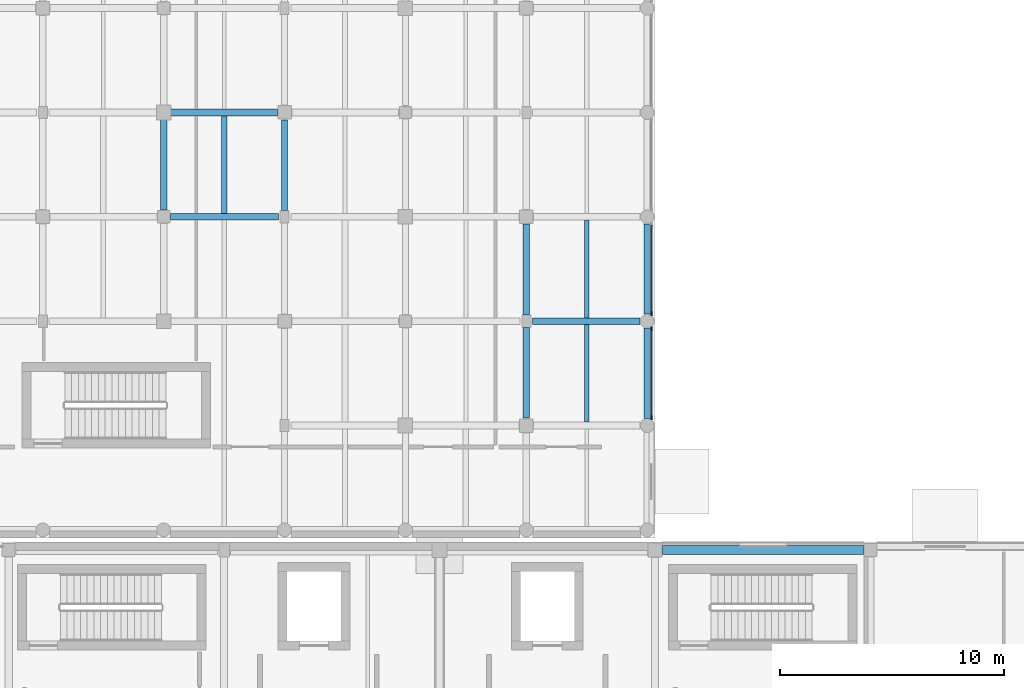
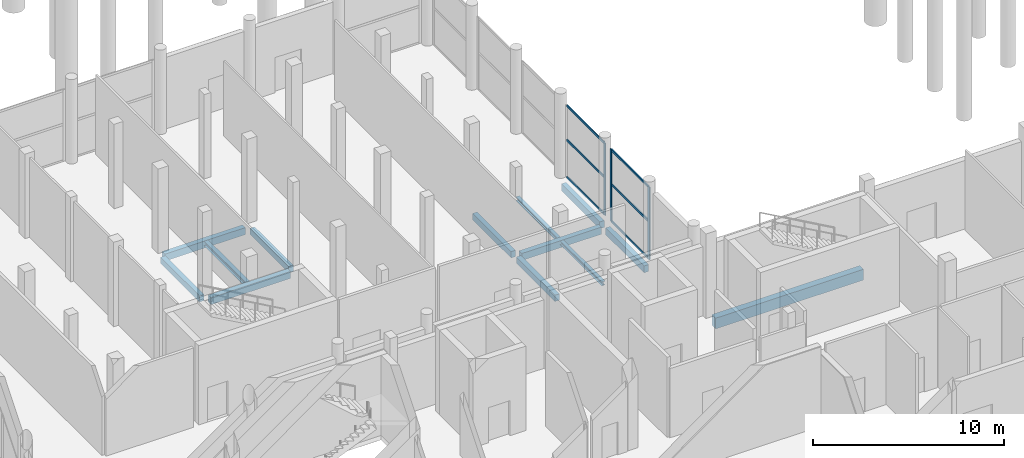
# One storey, part 28 of 88: 13 beams, 9 members, 2 elements without a shape of their own.
"""IFC4 building model written with IfcOpenShell, lengths in metres."""

from ifc_helpers import new_model, si_unit, direction, frame, origin, origin_2d, place, context, subcontext, project, spatial, rectangle, i_section, extrude, material, layer, layer_set, material_profile, profile_set, type_object, element, aggregate, save


model = new_model("IFC4")

# Units and contexts
model_context = context("Model", 3, precision=1e-05, world=origin(), true_north=direction((0.0, 1.0)))
body_context = subcontext(model_context, "Body", "Model", "MODEL_VIEW")
ifc_project = project(units=[si_unit("LENGTHUNIT", "METRE"), si_unit("AREAUNIT", "SQUARE_METRE"), si_unit("VOLUMEUNIT", "CUBIC_METRE"), si_unit("PLANEANGLEUNIT", "RADIAN"), si_unit("MASSUNIT", "GRAM", prefix="KILO")], contexts=[model_context])

# Site, building, storey
site_placement = place(None, origin())
site = spatial("IfcSite", under=ifc_project, at=site_placement, CompositionType="ELEMENT")
building_placement = place(site_placement, origin())
building = spatial("IfcBuilding", under=site, at=building_placement, Name="Birchvale Park Specialist Clinic", CompositionType="ELEMENT")
storey_placement = place(building_placement, origin())
storey = spatial("IfcBuildingStorey", under=building, at=storey_placement, Name="L00", CompositionType="ELEMENT", Elevation=0.0)

# Beams
ifc_material_1 = material(Name="Concrete C40/50", Category="concrete")
ifc_material_profile_1 = material_profile(ifc_material_1, rectangle(XDim=0.39990234375, YDim=0.68994140625, at=origin_2d()), Name="RCB-400x690")
ifc_profile_set_1 = profile_set([ifc_material_profile_1], Name="Concrete C40/50")
beam_type_1 = type_object("IfcBeamType", Name="BM-EXT-BG4", PredefinedType="BEAM", material=ifc_profile_set_1)
beam_1_placement = place(storey_placement, frame((90.5400390625, 34.25, -0.625), z_axis=(1.0, 0.0, 0.0), x_axis=(0.0, 1.0, 0.0)))
element("IfcBeam", 1, at=beam_1_placement, inside=storey, type_object=beam_type_1, Name="V4 L00 X girder 11", PredefinedType="BEAM", context=body_context, shape_type="SweptSolid", body=[
    extrude(rectangle(XDim=0.39990234375, YDim=0.68994140625, at=origin_2d()), origin(), (0.0, 0.0, 1.0), 8.945068359375),
])
ifc_material_profile_2 = material_profile(ifc_material_1, rectangle(XDim=0.280029296875, YDim=0.43994140625, at=origin_2d()), Name="RCB-280x440")
ifc_profile_set_2 = profile_set([ifc_material_profile_2], Name="Concrete C40/50")
beam_type_2 = type_object("IfcBeamType", Name="BM-EXT-BG9", PredefinedType="BEAM", material=ifc_profile_set_2)
beam_2_placement = place(storey_placement, frame((89.85009765625, 40.110107421875, -0.5400390625), z_axis=(0.0, 1.0, 0.0), x_axis=(-1.0, 0.0, 0.0)))
element("IfcBeam", 2, at=beam_2_placement, inside=storey, type_object=beam_type_2, Name="V1 L00 Y girder 86", PredefinedType="BEAM", context=body_context, shape_type="SweptSolid", body=[
    extrude(rectangle(XDim=0.280029296875, YDim=0.43994140625, at=origin_2d()), origin(), (0.0, 0.0, 1.0), 4.02978515625),
])
beam_3_placement = place(storey_placement, frame((89.85009765625, 44.760009765625, -0.5400390625), z_axis=(0.0, 1.0, 0.0), x_axis=(-1.0, 0.0, 0.0)))
element("IfcBeam", 3, at=beam_3_placement, inside=storey, type_object=beam_type_2, Name="V1 L00 Y girder 87", PredefinedType="BEAM", context=body_context, shape_type="SweptSolid", body=[
    extrude(rectangle(XDim=0.280029296875, YDim=0.43994140625, at=origin_2d()), origin(), (0.0, 0.0, 1.0), 4.030029296875),
])
ifc_material_profile_3 = material_profile(ifc_material_1, rectangle(XDim=0.300048828125, YDim=0.449951171875, at=origin_2d()), Name="RCB-300x450")
ifc_profile_set_3 = profile_set([ifc_material_profile_3], Name="Concrete C40/50")
beam_type_3 = type_object("IfcBeamType", Name="BM-INT-BG8", PredefinedType="BEAM", material=ifc_profile_set_3)
beam_4_placement = place(storey_placement, frame((84.7392578125, 44.449951171875, -0.544921875), z_axis=(1.0, 0.0, 0.0), x_axis=(0.0, 1.0, 0.0)))
element("IfcBeam", 4, at=beam_4_placement, inside=storey, type_object=beam_type_3, Name="V1 L00 X girder 18", PredefinedType="BEAM", context=body_context, shape_type="SweptSolid", body=[
    extrude(rectangle(XDim=0.300048828125, YDim=0.449951171875, at=origin_2d()), origin(), (0.0, 0.0, 1.0), 4.80078125),
])
beam_5_placement = place(storey_placement, frame((68.607177734375, 49.10009765625, -0.544921875), z_axis=(1.0, 0.0, 0.0), x_axis=(0.0, 1.0, 0.0)))
element("IfcBeam", 5, at=beam_5_placement, inside=storey, type_object=beam_type_3, Name="V1 L00 X girder 22", PredefinedType="BEAM", context=body_context, shape_type="SweptSolid", body=[
    extrude(rectangle(XDim=0.300048828125, YDim=0.449951171875, at=origin_2d()), origin(), (0.0, 0.0, 1.0), 4.810791015625),
])
beam_6_placement = place(storey_placement, frame((68.507080078125, 53.75, -0.544921875), z_axis=(1.0, 0.0, 0.0), x_axis=(0.0, 1.0, 0.0)))
element("IfcBeam", 6, at=beam_6_placement, inside=storey, type_object=beam_type_3, Name="V1 L00 X girder 29", PredefinedType="BEAM", context=body_context, shape_type="SweptSolid", body=[
    extrude(rectangle(XDim=0.300048828125, YDim=0.449951171875, at=origin_2d()), origin(), (0.0, 0.0, 1.0), 4.86083984375),
])
ifc_material_profile_4 = material_profile(ifc_material_1, rectangle(XDim=0.280029296875, YDim=0.39990234375, at=origin_2d()), Name="RCB-280x400")
ifc_profile_set_4 = profile_set([ifc_material_profile_4], Name="Concrete C40/50")
beam_type_4 = type_object("IfcBeamType", Name="BM-INT-BG9", PredefinedType="BEAM", material=ifc_profile_set_4)
beam_7_placement = place(storey_placement, frame((68.30712890625, 49.39990234375, -0.52001953125), z_axis=(0.0, 1.0, 0.0), x_axis=(-1.0, 0.0, 0.0)))
element("IfcBeam", 7, at=beam_7_placement, inside=storey, type_object=beam_type_4, Name="V1 L00 Y girder 64", PredefinedType="BEAM", context=body_context, shape_type="SweptSolid", body=[
    extrude(rectangle(XDim=0.280029296875, YDim=0.39990234375, at=origin_2d()), origin(), (0.0, 0.0, 1.0), 4.0751953125),
])
for number, where, z_axis, x_axis, name in (
    (8, (73.69287109375, 49.375, -0.52001953125), (0.0, 1.0, 0.0), (-1.0, 0.0, 0.0), "V1 L00 Y girder 70"),
    (9, (84.46435546875, 40.125, -0.52001953125), (0.0, 1.0, 0.0), (-1.0, 0.0, 0.0), "V1 L00 Y girder 80"),
):
    element("IfcBeam", number, at=place(storey_placement, frame(where, z_axis=z_axis, x_axis=x_axis)), inside=storey, type_object=beam_type_4, Name=name, PredefinedType="BEAM", context=body_context, shape_type="SweptSolid", body=[
        extrude(rectangle(XDim=0.280029296875, YDim=0.39990234375, at=origin_2d()), origin(), (0.0, 0.0, 1.0), 4.050048828125),
    ])
beam_8_placement = place(storey_placement, frame((84.46435546875, 44.72509765625, -0.52001953125), z_axis=(0.0, 1.0, 0.0), x_axis=(-1.0, 0.0, 0.0)))
element("IfcBeam", 10, at=beam_8_placement, inside=storey, type_object=beam_type_4, Name="V1 L00 Y girder 81", PredefinedType="BEAM", context=body_context, shape_type="SweptSolid", body=[
    extrude(rectangle(XDim=0.280029296875, YDim=0.39990234375, at=origin_2d()), origin(), (0.0, 0.0, 1.0), 4.0498046875),
])

# Curtain wall, members
ifc_material_2 = material(Name="Thermally broken anodised aluminium", Category="aluminium")
ifc_layer = layer(ifc_material_2, 0.195068359375)
ifc_layer_set = layer_set([ifc_layer], Name="Thermally broken anodised aluminium")
curtain_wall_type = type_object("IfcCurtainWallType", Name="CW-U2", PredefinedType="USERDEFINED", material=ifc_layer_set)
curtain_wall_1_placement = place(storey_placement, origin())
curtain_wall_1 = element("IfcCurtainWall", 11, at=curtain_wall_1_placement, inside=storey, type_object=curtain_wall_type, Name="V1 L00 glazed curtain wall 1", ObjectType="UNITISED", PredefinedType="USERDEFINED")
ifc_material_profile_5 = material_profile(ifc_material_2, rectangle(XDim=0.06494140625, YDim=0.179931640625, at=origin_2d()), Name="CWM-65x180")
ifc_profile_set_5 = profile_set([ifc_material_profile_5], Name="Thermally broken anodised aluminium")
member_type_1 = type_object("IfcMemberType", Name="CWM2", PredefinedType="MULLION", material=ifc_profile_set_5)
member_1_placement = place(storey_placement, frame((90.034912109375, 40.142578125, 0.0), z_axis=(0.0, 0.0, 1.0), x_axis=(-1.0, 0.0, 0.0)))
member_1 = element("IfcMember", 12, at=member_1_placement, type_object=member_type_1, Name="CW mullion 1", PredefinedType="MULLION", context=body_context, shape_type="SweptSolid", body=[
    extrude(rectangle(XDim=0.06494140625, YDim=0.179931640625, at=origin_2d()), origin(), (0.0, 0.0, 1.0), 4.625),
])
member_2_placement = place(storey_placement, frame((90.034912109375, 44.107421875, 0.0), z_axis=(0.0, 0.0, 1.0), x_axis=(-1.0, 0.0, 0.0)))
member_2 = element("IfcMember", 13, at=member_2_placement, type_object=member_type_1, Name="CW mullion 2", PredefinedType="MULLION", context=body_context, shape_type="SweptSolid", body=[
    extrude(rectangle(XDim=0.06494140625, YDim=0.179931640625, at=origin_2d()), origin(), (0.0, 0.0, 1.0), 4.625),
])

# Curtain wall, member
curtain_wall_2_placement = place(storey_placement, origin())
curtain_wall_2 = element("IfcCurtainWall", 14, at=curtain_wall_2_placement, inside=storey, type_object=curtain_wall_type, Name="V1 L00 glazed curtain wall 2", ObjectType="UNITISED", PredefinedType="USERDEFINED")
member_3_placement = place(storey_placement, frame((90.034912109375, 44.79248046875, 0.0), z_axis=(0.0, 0.0, 1.0), x_axis=(-1.0, 0.0, 0.0)))
member_3 = element("IfcMember", 15, at=member_3_placement, type_object=member_type_1, Name="CW mullion 1", PredefinedType="MULLION", context=body_context, shape_type="SweptSolid", body=[
    extrude(rectangle(XDim=0.06494140625, YDim=0.179931640625, at=origin_2d()), origin(), (0.0, 0.0, 1.0), 4.625),
])

# Member
ifc_material_profile_6 = material_profile(ifc_material_2, rectangle(XDim=0.06494140625, YDim=0.139892578125, at=origin_2d()), Name="CWT-65x140")
ifc_profile_set_6 = profile_set([ifc_material_profile_6], Name="Thermally broken anodised aluminium")
member_type_2 = type_object("IfcMemberType", Name="CWT2", PredefinedType="USERDEFINED", material=ifc_profile_set_6)
member_4_placement = place(storey_placement, frame((90.034912109375, 40.175048828125, 0.032470703125), z_axis=(0.0, 1.0, 0.0), x_axis=(-1.0, 0.0, 0.0)))
member_4 = element("IfcMember", 16, at=member_4_placement, type_object=member_type_2, Name="CW transom 1.1", ObjectType="TRANSOM", PredefinedType="USERDEFINED", context=body_context, shape_type="SweptSolid", body=[
    extrude(rectangle(XDim=0.06494140625, YDim=0.139892578125, at=origin_2d()), origin(), (0.0, 0.0, 1.0), 3.89990234375),
])

member_5_placement = place(storey_placement, frame((90.034912109375, 40.175048828125, 2.405029296875), z_axis=(0.0, 1.0, 0.0), x_axis=(-1.0, 0.0, 0.0)))
member_5 = element("IfcMember", 17, at=member_5_placement, type_object=member_type_2, Name="CW transom 1.2", ObjectType="TRANSOM", PredefinedType="USERDEFINED", context=body_context, shape_type="SweptSolid", body=[
    extrude(rectangle(XDim=0.06494140625, YDim=0.139892578125, at=origin_2d()), origin(), (0.0, 0.0, 1.0), 3.89990234375),
])

member_6_placement = place(storey_placement, frame((90.034912109375, 40.175048828125, 4.592529296875), z_axis=(0.0, 1.0, 0.0), x_axis=(-1.0, 0.0, 0.0)))
member_6 = element("IfcMember", 18, at=member_6_placement, type_object=member_type_2, Name="CW transom 1.3", ObjectType="TRANSOM", PredefinedType="USERDEFINED", context=body_context, shape_type="SweptSolid", body=[
    extrude(rectangle(XDim=0.06494140625, YDim=0.139892578125, at=origin_2d()), origin(), (0.0, 0.0, 1.0), 3.89990234375),
])

aggregate(curtain_wall_1, [member_1, member_2, member_4, member_5, member_6])

member_7_placement = place(storey_placement, frame((90.034912109375, 44.824951171875, 0.032470703125), z_axis=(0.0, 1.0, 0.0), x_axis=(-1.0, 0.0, 0.0)))
member_7 = element("IfcMember", 19, at=member_7_placement, type_object=member_type_2, Name="CW transom 1.1", ObjectType="TRANSOM", PredefinedType="USERDEFINED", context=body_context, shape_type="SweptSolid", body=[
    extrude(rectangle(XDim=0.06494140625, YDim=0.139892578125, at=origin_2d()), origin(), (0.0, 0.0, 1.0), 3.900146484375),
])

member_8_placement = place(storey_placement, frame((90.034912109375, 44.824951171875, 2.405029296875), z_axis=(0.0, 1.0, 0.0), x_axis=(-1.0, 0.0, 0.0)))
member_8 = element("IfcMember", 20, at=member_8_placement, type_object=member_type_2, Name="CW transom 1.2", ObjectType="TRANSOM", PredefinedType="USERDEFINED", context=body_context, shape_type="SweptSolid", body=[
    extrude(rectangle(XDim=0.06494140625, YDim=0.139892578125, at=origin_2d()), origin(), (0.0, 0.0, 1.0), 3.900146484375),
])

member_9_placement = place(storey_placement, frame((90.034912109375, 44.824951171875, 4.592529296875), z_axis=(0.0, 1.0, 0.0), x_axis=(-1.0, 0.0, 0.0)))
member_9 = element("IfcMember", 21, at=member_9_placement, type_object=member_type_2, Name="CW transom 1.3", ObjectType="TRANSOM", PredefinedType="USERDEFINED", context=body_context, shape_type="SweptSolid", body=[
    extrude(rectangle(XDim=0.06494140625, YDim=0.139892578125, at=origin_2d()), origin(), (0.0, 0.0, 1.0), 3.900146484375),
])

aggregate(curtain_wall_2, [member_3, member_7, member_8, member_9])

# Beams
ifc_material_3 = material(Name="Steel ASTM A992 Grade 50", Category="steel")
ifc_material_profile_7 = material_profile(ifc_material_3, i_section(OverallWidth=0.25390625, OverallDepth=0.305908203125, WebThickness=0.0087890625, FlangeThickness=0.0146484375, at=origin_2d()), Name="W12X53")
ifc_profile_set_7 = profile_set([ifc_material_profile_7], Name="Steel ASTM A992 Grade 50")
beam_type_5 = type_object("IfcBeamType", Name="STL-INT-SJ2", PredefinedType="JOIST", material=ifc_profile_set_7)
beam_9_placement = place(storey_placement, frame((71.0, 49.25, -0.472900390625), z_axis=(0.0, 1.0, 0.0), x_axis=(-1.0, 0.0, 0.0)))
element("IfcBeam", 22, at=beam_9_placement, inside=storey, type_object=beam_type_5, Name="V1 L00 secondary floor joist 18", PredefinedType="JOIST", context=body_context, shape_type="SweptSolid", body=[
    extrude(i_section(OverallWidth=0.25390625, OverallDepth=0.305908203125, WebThickness=0.0087890625, FlangeThickness=0.0146484375, at=origin_2d()), origin(), (0.0, 0.0, 1.0), 4.35009765625),
])
ifc_material_profile_8 = material_profile(ifc_material_3, i_section(OverallWidth=0.202880859375, OverallDepth=0.251953125, WebThickness=0.008056640625, FlangeThickness=0.013427734375, at=origin_2d()), Name="W10X39")
ifc_profile_set_8 = profile_set([ifc_material_profile_8], Name="Steel ASTM A992 Grade 50")
beam_type_6 = type_object("IfcBeamType", Name="STL-INT-SJ4", PredefinedType="JOIST", material=ifc_profile_set_8)
beam_10_placement = place(storey_placement, frame((87.1572265625, 39.949951171875, -0.446044921875), z_axis=(0.0, 1.0, 0.0), x_axis=(-1.0, 0.0, 0.0)))
element("IfcBeam", 23, at=beam_10_placement, inside=storey, type_object=beam_type_6, Name="V1 L00 secondary floor joist 34", PredefinedType="JOIST", context=body_context, shape_type="SweptSolid", body=[
    extrude(i_section(OverallWidth=0.202880859375, OverallDepth=0.251953125, WebThickness=0.008056640625, FlangeThickness=0.013427734375, at=origin_2d()), origin(), (0.0, 0.0, 1.0), 4.35009765625),
])
beam_11_placement = place(storey_placement, frame((87.1572265625, 44.60009765625, -0.446044921875), z_axis=(0.0, 1.0, 0.0), x_axis=(-1.0, 0.0, 0.0)))
element("IfcBeam", 24, at=beam_11_placement, inside=storey, type_object=beam_type_6, Name="V1 L00 secondary floor joist 35", PredefinedType="JOIST", context=body_context, shape_type="SweptSolid", body=[
    extrude(i_section(OverallWidth=0.202880859375, OverallDepth=0.251953125, WebThickness=0.008056640625, FlangeThickness=0.013427734375, at=origin_2d()), origin(), (0.0, 0.0, 1.0), 4.349853515625),
])

save(model, "model.ifc")
